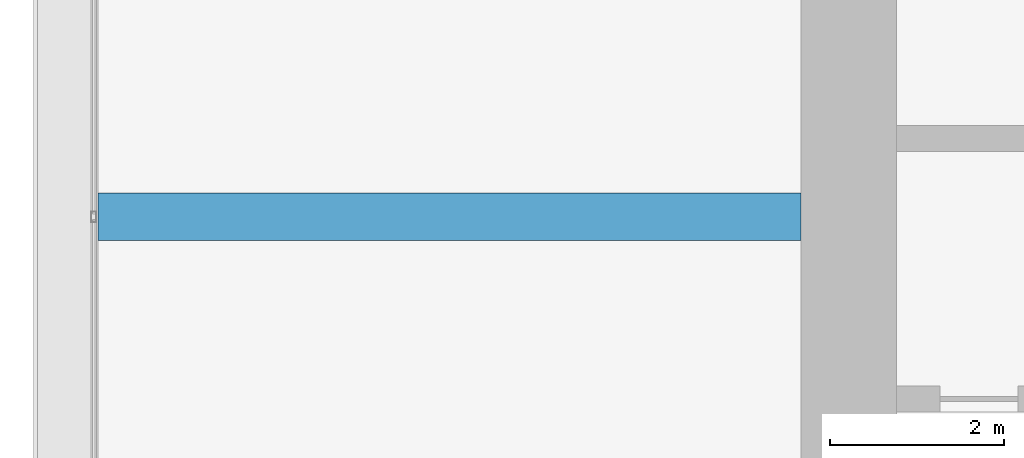
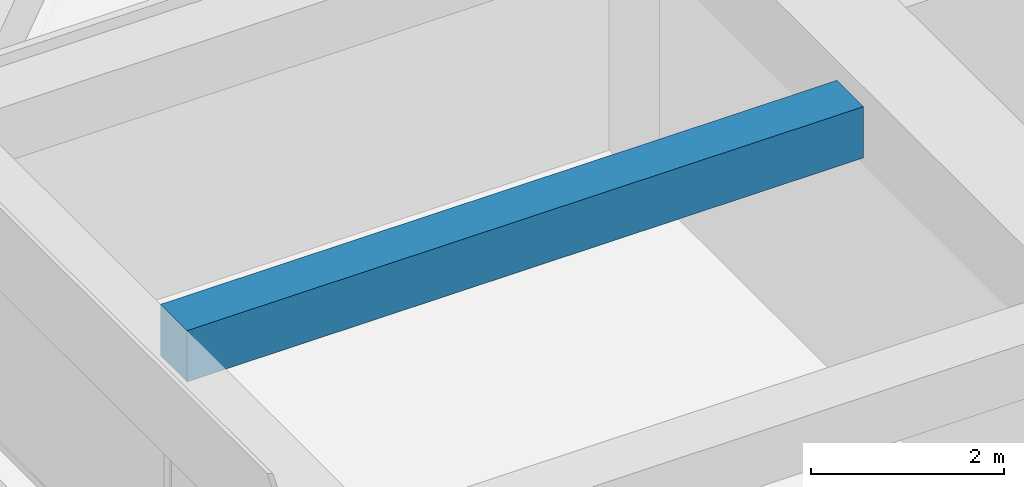
# One storey, part 17 of 44: 1 beam.
"""IFC4 building model written with IfcOpenShell, lengths in metres."""

from ifc_helpers import new_model, si_unit, direction, frame, origin, origin_2d, place, context, subcontext, project, spatial, rectangle, extrude, material, material_profile, profile_set, type_object, element, save


model = new_model("IFC4")

# Units and contexts
model_context = context("Model", 3, precision=1e-05, world=origin(), true_north=direction((0.0, 1.0)))
body_context = subcontext(model_context, "Body", "Model", "MODEL_VIEW")
ifc_project = project(units=[si_unit("LENGTHUNIT", "METRE"), si_unit("AREAUNIT", "SQUARE_METRE"), si_unit("VOLUMEUNIT", "CUBIC_METRE"), si_unit("PLANEANGLEUNIT", "RADIAN"), si_unit("MASSUNIT", "GRAM", prefix="KILO")], contexts=[model_context])

# Site, building, storey
site_placement = place(None, origin())
site = spatial("IfcSite", under=ifc_project, at=site_placement, CompositionType="ELEMENT")
building_placement = place(site_placement, origin())
building = spatial("IfcBuilding", under=site, at=building_placement, Name="Zorevar Civic Tower", CompositionType="ELEMENT")
storey_placement = place(building_placement, frame((0.0, 0.0, 299.39990234375)))
storey = spatial("IfcBuildingStorey", under=building, at=storey_placement, Name="L73", CompositionType="ELEMENT", Elevation=299.39990234375)

# Beam
ifc_material = material(Name="Concrete C50/60", Category="concrete")
ifc_material_profile = material_profile(ifc_material, rectangle(XDim=0.550048828125, YDim=0.64990234375, at=origin_2d()), Name="RC 550x650")
ifc_profile_set = profile_set([ifc_material_profile], Name="Concrete C50/60")
beam_type = type_object("IfcBeamType", Name="Beam RC 550x650", PredefinedType="BEAM", material=ifc_profile_set)
beam_placement = place(storey_placement, frame((9.35009765625, 31.5, 3.425048828125), z_axis=(1.0, 0.0, 0.0), x_axis=(0.0, 1.0, 0.0)))
element("IfcBeam", 1, at=beam_placement, inside=storey, type_object=beam_type, Name="Secondary beam L74", PredefinedType="BEAM", context=body_context, shape_type="SweptSolid", body=[
    extrude(rectangle(XDim=0.550048828125, YDim=0.64990234375, at=origin_2d()), origin(), (0.0, 0.0, 1.0), 8.099853515625),
])

save(model, "model.ifc")
